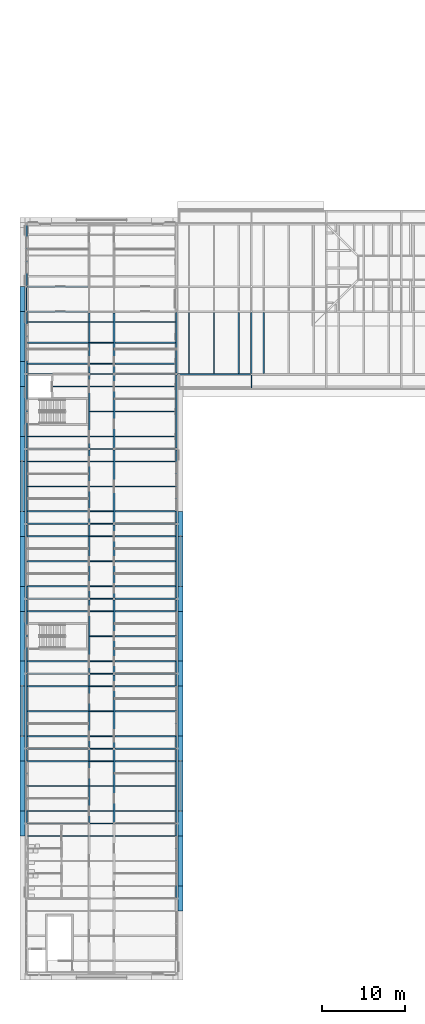
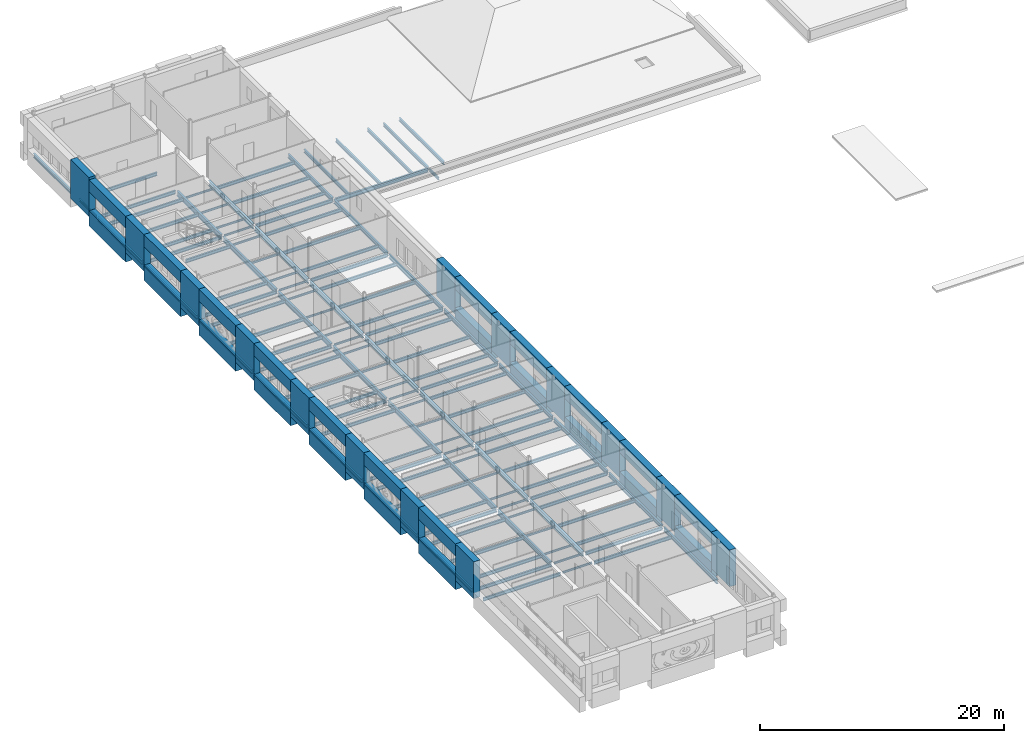
# One storey, part 8 of 42: 149 beams, 14 members.
"""IFC4 building model written with IfcOpenShell, lengths in metres."""

from ifc_helpers import new_model, si_unit, direction, frame, origin, origin_2d, place, context, subcontext, project, spatial, rectangle, i_section, extrude, material, material_profile, profile_set, type_object, element, save


model = new_model("IFC4")

# Units and contexts
model_context = context("Model", 3, precision=1e-05, world=origin(), true_north=direction((0.0, 1.0)))
body_context = subcontext(model_context, "Body", "Model", "MODEL_VIEW")
ifc_project = project(units=[si_unit("LENGTHUNIT", "METRE"), si_unit("AREAUNIT", "SQUARE_METRE"), si_unit("VOLUMEUNIT", "CUBIC_METRE"), si_unit("PLANEANGLEUNIT", "RADIAN"), si_unit("MASSUNIT", "GRAM", prefix="KILO")], contexts=[model_context])

# Site, building, storey
site_placement = place(None, origin())
site = spatial("IfcSite", under=ifc_project, at=site_placement, CompositionType="ELEMENT")
building_placement = place(site_placement, origin())
building = spatial("IfcBuilding", under=site, at=building_placement, Name="Golden Quay Civic Hall", CompositionType="ELEMENT")
storey_placement = place(building_placement, frame((0.0, 0.0, 22.800048828125)))
storey = spatial("IfcBuildingStorey", under=building, at=storey_placement, Name="L05", CompositionType="ELEMENT", Elevation=22.800048828125)

# Beam
ifc_material_1 = material(Name="Steel S355", Category="steel")
ifc_material_profile_1 = material_profile(ifc_material_1, i_section(OverallWidth=0.135009765625, OverallDepth=0.27001953125, WebThickness=0.006591796875, FlangeThickness=0.01025390625, FilletRadius=0.014892578125, at=origin_2d()), Name="IPE 270")
ifc_profile_set_1 = profile_set([ifc_material_profile_1], Name="Steel S355")
beam_type_1 = type_object("IfcBeamType", Name="Eave stub IPE 270", PredefinedType="BEAM", material=ifc_profile_set_1)
beam_1_placement = place(storey_placement, frame((27.0, 62.905029296875, -0.385009765625), z_axis=(0.0, -1.0, 0.0), x_axis=(1.0, 0.0, 0.0)))
element("IfcBeam", 1, at=beam_1_placement, inside=storey, type_object=beam_type_1, Name="Eave stub IPE 270 L05 9", PredefinedType="BEAM", context=body_context, shape_type="SweptSolid", body=[
    extrude(i_section(OverallWidth=0.135009765625, OverallDepth=0.27001953125, WebThickness=0.006591796875, FlangeThickness=0.01025390625, FilletRadius=0.014892578125, at=origin_2d()), origin(), (0.0, 0.0, 1.0), 1.554931640625),
])

# Members
ifc_material_2 = material(Name="Concrete C40/50", Category="concrete")
ifc_material_profile_2 = material_profile(ifc_material_2, rectangle(XDim=3.0, YDim=0.60009765625, at=origin_2d()), Name="RC 3000x600")
ifc_profile_set_2 = profile_set([ifc_material_profile_2], Name="Concrete C40/50")
member_type = type_object("IfcMemberType", Name="Precast concrete facade pier 3000 x 600", PredefinedType="POST", material=ifc_profile_set_2)
for number, where, z_axis, x_axis, name in (
    (2, (-0.5, 9.0, 0.0), (0.0, 0.0, 1.0), (0.0, 1.0, 0.0), "Precast concrete facade pier 3000 x 600 L05 1"),
    (3, (-0.5, 18.0, 0.0), (0.0, 0.0, 1.0), (0.0, 1.0, 0.0), "Precast concrete facade pier 3000 x 600 L05 2"),
    (4, (-0.5, 27.0, 0.0), (0.0, 0.0, 1.0), (0.0, 1.0, 0.0), "Precast concrete facade pier 3000 x 600 L05 3"),
    (5, (-0.5, 36.0, 0.0), (0.0, 0.0, 1.0), (0.0, 1.0, 0.0), "Precast concrete facade pier 3000 x 600 L05 4"),
    (6, (-0.5, 45.0, 0.0), (0.0, 0.0, 1.0), (0.0, 1.0, 0.0), "Precast concrete facade pier 3000 x 600 L05 5"),
    (7, (-0.5, 54.0, 0.0), (0.0, 0.0, 1.0), (0.0, 1.0, 0.0), "Precast concrete facade pier 3000 x 600 L05 6"),
    (8, (-0.5, 63.0, 0.0), (0.0, 0.0, 1.0), (0.0, 1.0, 0.0), "Precast concrete facade pier 3000 x 600 L05 7"),
    (9, (18.5, 0.0, 0.0), (0.0, 0.0, 1.0), (0.0, 1.0, 0.0), "Precast concrete facade pier 3000 x 600 L05 8"),
    (10, (18.5, 9.0, 0.0), (0.0, 0.0, 1.0), (0.0, 1.0, 0.0), "Precast concrete facade pier 3000 x 600 L05 9"),
    (11, (18.5, 18.0, 0.0), (0.0, 0.0, 1.0), (0.0, 1.0, 0.0), "Precast concrete facade pier 3000 x 600 L05 10"),
    (12, (18.5, 27.0, 0.0), (0.0, 0.0, 1.0), (0.0, 1.0, 0.0), "Precast concrete facade pier 3000 x 600 L05 11"),
    (13, (18.5, 36.0, 0.0), (0.0, 0.0, 1.0), (0.0, 1.0, 0.0), "Precast concrete facade pier 3000 x 600 L05 12"),
    (14, (18.5, 45.0, 0.0), (0.0, 0.0, 1.0), (0.0, 1.0, 0.0), "Precast concrete facade pier 3000 x 600 L05 13"),
):
    element("IfcMember", number, at=place(storey_placement, frame(where, z_axis=z_axis, x_axis=x_axis)), inside=storey, type_object=member_type, Name=name, PredefinedType="POST", context=body_context, shape_type="SweptSolid", body=[
        extrude(rectangle(XDim=3.0, YDim=0.60009765625, at=origin_2d()), origin(), (0.0, 0.0, 1.0), 3.679931640625),
    ])
member_placement = place(storey_placement, frame((-0.5, 72.0, 0.0), z_axis=(0.0, 0.0, 1.0), x_axis=(0.0, 1.0, 0.0)))
element("IfcMember", 15, at=member_placement, inside=storey, type_object=member_type, Name="Precast concrete facade pier 3000 x 600 L05 14", PredefinedType="POST", context=body_context, shape_type="SweptSolid", body=[
    extrude(rectangle(XDim=3.0, YDim=0.60009765625, at=origin_2d()), origin(), (0.0, 0.0, 1.0), 3.919921875),
])

# Beams
ifc_material_3 = material(Name="Concrete C40/50", Category="concrete")
ifc_material_profile_3 = material_profile(ifc_material_3, rectangle(XDim=0.60009765625, YDim=1.199951171875, at=origin_2d()), Name="RC 600x1200")
ifc_profile_set_3 = profile_set([ifc_material_profile_3], Name="Concrete C40/50")
beam_type_2 = type_object("IfcBeamType", Name="Precast concrete spandrel beam 600 x 1200", PredefinedType="SPANDREL", material=ifc_profile_set_3)
for number, where, z_axis, x_axis, name in (
    (16, (-0.5, 37.5, 3.079833984375), (0.0, 1.0, 0.0), (-1.0, 0.0, 0.0), "Precast concrete spandrel beam 600 x 1200 L05 1"),
    (17, (-0.5, 64.5, 3.079833984375), (0.0, 1.0, 0.0), (-1.0, 0.0, 0.0), "Precast concrete spandrel beam 600 x 1200 L05 6"),
    (18, (-0.5, 55.5, 3.079833984375), (0.0, 1.0, 0.0), (-1.0, 0.0, 0.0), "Precast concrete spandrel beam 600 x 1200 L05 7"),
    (19, (-0.5, 46.5, 3.079833984375), (0.0, 1.0, 0.0), (-1.0, 0.0, 0.0), "Precast concrete spandrel beam 600 x 1200 L05 8"),
    (20, (-0.5, 28.5, 3.079833984375), (0.0, 1.0, 0.0), (-1.0, 0.0, 0.0), "Precast concrete spandrel beam 600 x 1200 L05 9"),
    (21, (-0.5, 19.5, 3.079833984375), (0.0, 1.0, 0.0), (-1.0, 0.0, 0.0), "Precast concrete spandrel beam 600 x 1200 L05 10"),
    (22, (-0.5, 10.5, 3.079833984375), (0.0, 1.0, 0.0), (-1.0, 0.0, 0.0), "Precast concrete spandrel beam 600 x 1200 L05 11"),
    (23, (18.5, 19.5, 3.079833984375), (0.0, 1.0, 0.0), (-1.0, 0.0, 0.0), "Precast concrete spandrel beam 600 x 1200 L05 15"),
    (24, (18.5, 37.5, 3.079833984375), (0.0, 1.0, 0.0), (-1.0, 0.0, 0.0), "Precast concrete spandrel beam 600 x 1200 L05 16"),
    (25, (18.5, 28.5, 3.079833984375), (0.0, 1.0, 0.0), (-1.0, 0.0, 0.0), "Precast concrete spandrel beam 600 x 1200 L05 17"),
    (26, (18.5, 10.5, 3.079833984375), (0.0, 1.0, 0.0), (-1.0, 0.0, 0.0), "Precast concrete spandrel beam 600 x 1200 L05 18"),
    (27, (18.5, 1.5, 3.079833984375), (0.0, 1.0, 0.0), (-1.0, 0.0, 0.0), "Precast concrete spandrel beam 600 x 1200 L05 19"),
):
    element("IfcBeam", number, at=place(storey_placement, frame(where, z_axis=z_axis, x_axis=x_axis)), inside=storey, type_object=beam_type_2, Name=name, PredefinedType="SPANDREL", context=body_context, shape_type="SweptSolid", body=[
        extrude(rectangle(XDim=0.60009765625, YDim=1.199951171875, at=origin_2d()), origin(), (0.0, 0.0, 1.0), 6.0),
    ])
ifc_material_4 = material(Name="Concrete C40/50", Category="concrete")
ifc_material_profile_4 = material_profile(ifc_material_4, rectangle(XDim=0.60009765625, YDim=1.5, at=origin_2d()), Name="RC 600x1500")
ifc_profile_set_4 = profile_set([ifc_material_profile_4], Name="Concrete C40/50")
beam_type_3 = type_object("IfcBeamType", Name="Precast concrete spandrel beam 600 x 1500", PredefinedType="SPANDREL", material=ifc_profile_set_4)
for number, where, z_axis, x_axis, name in (
    (28, (-0.5, 37.5, -0.150146484375), (0.0, 1.0, 0.0), (-1.0, 0.0, 0.0), "Precast concrete spandrel beam 600 x 1500 L05 1"),
    (29, (-0.5, 64.5, -0.150146484375), (0.0, 1.0, 0.0), (-1.0, 0.0, 0.0), "Precast concrete spandrel beam 600 x 1500 L05 6"),
    (30, (-0.5, 55.5, -0.150146484375), (0.0, 1.0, 0.0), (-1.0, 0.0, 0.0), "Precast concrete spandrel beam 600 x 1500 L05 7"),
    (31, (-0.5, 46.5, -0.150146484375), (0.0, 1.0, 0.0), (-1.0, 0.0, 0.0), "Precast concrete spandrel beam 600 x 1500 L05 8"),
    (32, (-0.5, 28.5, -0.150146484375), (0.0, 1.0, 0.0), (-1.0, 0.0, 0.0), "Precast concrete spandrel beam 600 x 1500 L05 9"),
    (33, (-0.5, 19.5, -0.150146484375), (0.0, 1.0, 0.0), (-1.0, 0.0, 0.0), "Precast concrete spandrel beam 600 x 1500 L05 10"),
    (34, (-0.5, 10.5, -0.150146484375), (0.0, 1.0, 0.0), (-1.0, 0.0, 0.0), "Precast concrete spandrel beam 600 x 1500 L05 11"),
    (35, (18.5, 19.5, -0.150146484375), (0.0, 1.0, 0.0), (-1.0, 0.0, 0.0), "Precast concrete spandrel beam 600 x 1500 L05 15"),
    (36, (18.5, 37.5, -0.150146484375), (0.0, 1.0, 0.0), (-1.0, 0.0, 0.0), "Precast concrete spandrel beam 600 x 1500 L05 16"),
    (37, (18.5, 28.5, -0.150146484375), (0.0, 1.0, 0.0), (-1.0, 0.0, 0.0), "Precast concrete spandrel beam 600 x 1500 L05 17"),
    (38, (18.5, 10.5, -0.150146484375), (0.0, 1.0, 0.0), (-1.0, 0.0, 0.0), "Precast concrete spandrel beam 600 x 1500 L05 18"),
    (39, (18.5, 1.5, -0.150146484375), (0.0, 1.0, 0.0), (-1.0, 0.0, 0.0), "Precast concrete spandrel beam 600 x 1500 L05 19"),
):
    element("IfcBeam", number, at=place(storey_placement, frame(where, z_axis=z_axis, x_axis=x_axis)), inside=storey, type_object=beam_type_3, Name=name, PredefinedType="SPANDREL", context=body_context, shape_type="SweptSolid", body=[
        extrude(rectangle(XDim=0.60009765625, YDim=1.5, at=origin_2d()), origin(), (0.0, 0.0, 1.0), 6.0),
    ])
ifc_material_5 = material(Name="Steel S355", Category="steel")
ifc_material_profile_5 = material_profile(ifc_material_5, i_section(OverallWidth=0.10009765625, OverallDepth=0.199951171875, WebThickness=0.005615234375, FlangeThickness=0.008544921875, FilletRadius=0.011962890625, at=origin_2d()), Name="IPE 200")
ifc_profile_set_5 = profile_set([ifc_material_profile_5], Name="Steel S355")
beam_type_4 = type_object("IfcBeamType", Name="Steel beam IPE 200", PredefinedType="BEAM", material=ifc_profile_set_5)
for number, where, z_axis, x_axis, name in (
    (40, (7.639892578125, 9.0, -0.300048828125), (1.0, 0.0, 0.0), (0.0, 1.0, 0.0), "Beam S9-7.5"),
    (41, (7.639892578125, 18.0, -0.300048828125), (1.0, 0.0, 0.0), (0.0, 1.0, 0.0), "Beam S18-7.5"),
    (42, (7.639892578125, 27.0, -0.300048828125), (1.0, 0.0, 0.0), (0.0, 1.0, 0.0), "Beam S27-7.5"),
    (43, (7.639892578125, 36.0, -0.300048828125), (1.0, 0.0, 0.0), (0.0, 1.0, 0.0), "Beam S36-7.5"),
    (44, (7.639892578125, 45.0, -0.300048828125), (1.0, 0.0, 0.0), (0.0, 1.0, 0.0), "Beam S45-7.5"),
    (45, (7.639892578125, 54.0, -0.300048828125), (1.0, 0.0, 0.0), (0.0, 1.0, 0.0), "Beam S54-7.5"),
    (46, (7.639892578125, 63.0, -0.300048828125), (1.0, 0.0, 0.0), (0.0, 1.0, 0.0), "Beam S63-7.5"),
):
    element("IfcBeam", number, at=place(storey_placement, frame(where, z_axis=z_axis, x_axis=x_axis)), inside=storey, type_object=beam_type_4, Name=name, PredefinedType="BEAM", context=body_context, shape_type="SweptSolid", body=[
        extrude(i_section(OverallWidth=0.10009765625, OverallDepth=0.199951171875, WebThickness=0.005615234375, FlangeThickness=0.008544921875, FilletRadius=0.011962890625, at=origin_2d()), origin(), (0.0, 0.0, 1.0), 2.72021484375),
    ])
ifc_material_6 = material(Name="Steel S355", Category="steel")
ifc_material_profile_6 = material_profile(ifc_material_6, i_section(OverallWidth=0.135009765625, OverallDepth=0.27001953125, WebThickness=0.006591796875, FlangeThickness=0.01025390625, FilletRadius=0.014892578125, at=origin_2d()), Name="IPE 270")
ifc_profile_set_6 = profile_set([ifc_material_profile_6], Name="Steel S355")
beam_type_5 = type_object("IfcBeamType", Name="Steel beam IPE 270", PredefinedType="BEAM", material=ifc_profile_set_6)
beam_2_placement = place(storey_placement, frame((0.0, 70.614990234375, -0.3349609375), z_axis=(0.0, 1.0, 0.0), x_axis=(-1.0, 0.0, 0.0)))
element("IfcBeam", 47, at=beam_2_placement, inside=storey, type_object=beam_type_5, Name="Beam L0-70.5", PredefinedType="BEAM", context=body_context, shape_type="SweptSolid", body=[
    extrude(i_section(OverallWidth=0.135009765625, OverallDepth=0.27001953125, WebThickness=0.006591796875, FlangeThickness=0.01025390625, FilletRadius=0.014892578125, at=origin_2d()), origin(), (0.0, 0.0, 1.0), 2.77001953125),
])
ifc_material_7 = material(Name="Steel S355", Category="steel")
ifc_material_profile_7 = material_profile(ifc_material_7, i_section(OverallWidth=0.159912109375, OverallDepth=0.330078125, WebThickness=0.007568359375, FlangeThickness=0.011474609375, FilletRadius=0.01806640625, at=origin_2d()), Name="IPE 330")
ifc_profile_set_7 = profile_set([ifc_material_profile_7], Name="Steel S355")
beam_type_6 = type_object("IfcBeamType", Name="Steel beam IPE 330", PredefinedType="BEAM", material=ifc_profile_set_7)
for number, where, z_axis, x_axis, name in (
    (48, (0.1201171875, 9.0, -0.364990234375), (1.0, 0.0, 0.0), (0.0, 1.0, 0.0), "Beam S9-0"),
    (49, (10.639892578125, 9.0, -0.364990234375), (1.0, 0.0, 0.0), (0.0, 1.0, 0.0), "Beam S9-10.5"),
    (50, (0.1201171875, 18.0, -0.364990234375), (1.0, 0.0, 0.0), (0.0, 1.0, 0.0), "Beam S18-0"),
    (51, (10.639892578125, 18.0, -0.364990234375), (1.0, 0.0, 0.0), (0.0, 1.0, 0.0), "Beam S18-10.5"),
    (52, (0.1201171875, 27.0, -0.364990234375), (1.0, 0.0, 0.0), (0.0, 1.0, 0.0), "Beam S27-0"),
    (53, (10.639892578125, 27.0, -0.364990234375), (1.0, 0.0, 0.0), (0.0, 1.0, 0.0), "Beam S27-10.5"),
    (54, (0.1201171875, 36.0, -0.364990234375), (1.0, 0.0, 0.0), (0.0, 1.0, 0.0), "Beam S36-0"),
    (55, (10.639892578125, 36.0, -0.364990234375), (1.0, 0.0, 0.0), (0.0, 1.0, 0.0), "Beam S36-10.5"),
    (56, (0.1201171875, 45.0, -0.364990234375), (1.0, 0.0, 0.0), (0.0, 1.0, 0.0), "Beam S45-0"),
    (57, (10.639892578125, 45.0, -0.364990234375), (1.0, 0.0, 0.0), (0.0, 1.0, 0.0), "Beam S45-10.5"),
    (58, (0.1201171875, 54.0, -0.364990234375), (1.0, 0.0, 0.0), (0.0, 1.0, 0.0), "Beam S54-0"),
    (59, (10.639892578125, 54.0, -0.364990234375), (1.0, 0.0, 0.0), (0.0, 1.0, 0.0), "Beam S54-10.5"),
    (60, (0.1201171875, 63.0, -0.364990234375), (1.0, 0.0, 0.0), (0.0, 1.0, 0.0), "Beam S63-0"),
    (61, (10.639892578125, 63.0, -0.364990234375), (1.0, 0.0, 0.0), (0.0, 1.0, 0.0), "Beam S63-10.5"),
    (62, (0.1201171875, 70.5, -0.364990234375), (1.0, 0.0, 0.0), (0.0, 1.0, 0.0), "Beam S70.5-0"),
    (63, (0.1201171875, 73.5, -0.364990234375), (1.0, 0.0, 0.0), (0.0, 1.0, 0.0), "Beam S73.5-0"),
):
    element("IfcBeam", number, at=place(storey_placement, frame(where, z_axis=z_axis, x_axis=x_axis)), inside=storey, type_object=beam_type_6, Name=name, PredefinedType="BEAM", context=body_context, shape_type="SweptSolid", body=[
        extrude(i_section(OverallWidth=0.159912109375, OverallDepth=0.330078125, WebThickness=0.007568359375, FlangeThickness=0.011474609375, FilletRadius=0.01806640625, at=origin_2d()), origin(), (0.0, 0.0, 1.0), 7.239990234375),
    ])
beam_3_placement = place(storey_placement, frame((27.0, 63.094970703125, -0.4150390625), z_axis=(0.0, 1.0, 0.0), x_axis=(-1.0, 0.0, 0.0)))
element("IfcBeam", 64, at=beam_3_placement, inside=storey, type_object=beam_type_6, Name="Beam S27-63", PredefinedType="BEAM", context=body_context, shape_type="SweptSolid", body=[
    extrude(i_section(OverallWidth=0.159912109375, OverallDepth=0.330078125, WebThickness=0.007568359375, FlangeThickness=0.011474609375, FilletRadius=0.01806640625, at=origin_2d()), origin(), (0.0, 0.0, 1.0), 7.2900390625),
])
ifc_material_8 = material(Name="Steel S355", Category="steel")
ifc_material_profile_8 = material_profile(ifc_material_8, i_section(OverallWidth=0.179931640625, OverallDepth=0.39990234375, WebThickness=0.008544921875, FlangeThickness=0.013427734375, FilletRadius=0.02099609375, at=origin_2d()), Name="IPE 400")
ifc_profile_set_8 = profile_set([ifc_material_profile_8], Name="Steel S355")
beam_type_7 = type_object("IfcBeamType", Name="Steel beam IPE 400", PredefinedType="BEAM", material=ifc_profile_set_8)
for number, where, z_axis, x_axis, name in (
    (65, (0.0, 9.114990234375, -0.400146484375), (0.0, 1.0, 0.0), (-1.0, 0.0, 0.0), "Beam L0-9"),
    (66, (0.0, 18.114990234375, -0.400146484375), (0.0, 1.0, 0.0), (-1.0, 0.0, 0.0), "Beam L0-18"),
    (67, (0.0, 27.114990234375, -0.400146484375), (0.0, 1.0, 0.0), (-1.0, 0.0, 0.0), "Beam L0-27"),
    (68, (0.0, 36.114990234375, -0.400146484375), (0.0, 1.0, 0.0), (-1.0, 0.0, 0.0), "Beam L0-36"),
    (69, (0.0, 45.114990234375, -0.400146484375), (0.0, 1.0, 0.0), (-1.0, 0.0, 0.0), "Beam L0-45"),
    (70, (0.0, 54.114990234375, -0.400146484375), (0.0, 1.0, 0.0), (-1.0, 0.0, 0.0), "Beam L0-54"),
):
    element("IfcBeam", number, at=place(storey_placement, frame(where, z_axis=z_axis, x_axis=x_axis)), inside=storey, type_object=beam_type_7, Name=name, PredefinedType="BEAM", context=body_context, shape_type="SweptSolid", body=[
        extrude(i_section(OverallWidth=0.179931640625, OverallDepth=0.39990234375, WebThickness=0.008544921875, FlangeThickness=0.013427734375, FilletRadius=0.02099609375, at=origin_2d()), origin(), (0.0, 0.0, 1.0), 8.77001953125),
    ])
for number, where, z_axis, x_axis, name in (
    (71, (0.0, 63.114990234375, -0.400146484375), (0.0, 1.0, 0.0), (-1.0, 0.0, 0.0), "Beam L0-63"),
    (72, (0.0, 73.614990234375, -0.400146484375), (0.0, 1.0, 0.0), (-1.0, 0.0, 0.0), "Beam L0-73.5"),
):
    element("IfcBeam", number, at=place(storey_placement, frame(where, z_axis=z_axis, x_axis=x_axis)), inside=storey, type_object=beam_type_7, Name=name, PredefinedType="BEAM", context=body_context, shape_type="SweptSolid", body=[
        extrude(i_section(OverallWidth=0.179931640625, OverallDepth=0.39990234375, WebThickness=0.008544921875, FlangeThickness=0.013427734375, FilletRadius=0.02099609375, at=origin_2d()), origin(), (0.0, 0.0, 1.0), 7.27001953125),
    ])
for number, where, z_axis, x_axis, name in (
    (73, (18.0, 0.114990234375, -0.400146484375), (0.0, 1.0, 0.0), (-1.0, 0.0, 0.0), "Beam L18-0"),
    (74, (18.0, 9.114990234375, -0.400146484375), (0.0, 1.0, 0.0), (-1.0, 0.0, 0.0), "Beam L18-9"),
    (75, (18.0, 18.114990234375, -0.400146484375), (0.0, 1.0, 0.0), (-1.0, 0.0, 0.0), "Beam L18-18"),
    (76, (18.0, 27.114990234375, -0.400146484375), (0.0, 1.0, 0.0), (-1.0, 0.0, 0.0), "Beam L18-27"),
    (77, (18.0, 36.114990234375, -0.400146484375), (0.0, 1.0, 0.0), (-1.0, 0.0, 0.0), "Beam L18-36"),
    (78, (18.0, 45.114990234375, -0.400146484375), (0.0, 1.0, 0.0), (-1.0, 0.0, 0.0), "Beam L18-45"),
    (79, (18.0, 54.114990234375, -0.400146484375), (0.0, 1.0, 0.0), (-1.0, 0.0, 0.0), "Beam L18-54"),
):
    element("IfcBeam", number, at=place(storey_placement, frame(where, z_axis=z_axis, x_axis=x_axis)), inside=storey, type_object=beam_type_7, Name=name, PredefinedType="BEAM", context=body_context, shape_type="SweptSolid", body=[
        extrude(i_section(OverallWidth=0.179931640625, OverallDepth=0.39990234375, WebThickness=0.008544921875, FlangeThickness=0.013427734375, FilletRadius=0.02099609375, at=origin_2d()), origin(), (0.0, 0.0, 1.0), 8.77001953125),
    ])
beam_4_placement = place(storey_placement, frame((18.0, 63.114990234375, -0.400146484375), z_axis=(0.0, 1.0, 0.0), x_axis=(-1.0, 0.0, 0.0)))
element("IfcBeam", 80, at=beam_4_placement, inside=storey, type_object=beam_type_7, Name="Beam L18-63", PredefinedType="BEAM", context=body_context, shape_type="SweptSolid", body=[
    extrude(i_section(OverallWidth=0.179931640625, OverallDepth=0.39990234375, WebThickness=0.008544921875, FlangeThickness=0.013427734375, FilletRadius=0.02099609375, at=origin_2d()), origin(), (0.0, 0.0, 1.0), 7.27001953125),
])
beam_5_placement = place(storey_placement, frame((18.1201171875, 63.0, -0.449951171875), z_axis=(1.0, 0.0, 0.0), x_axis=(0.0, 1.0, 0.0)))
element("IfcBeam", 81, at=beam_5_placement, inside=storey, type_object=beam_type_7, Name="Beam L63-18", PredefinedType="BEAM", context=body_context, shape_type="SweptSolid", body=[
    extrude(i_section(OverallWidth=0.179931640625, OverallDepth=0.39990234375, WebThickness=0.008544921875, FlangeThickness=0.013427734375, FilletRadius=0.02099609375, at=origin_2d()), origin(), (0.0, 0.0, 1.0), 8.77978515625),
])
ifc_material_9 = material(Name="Steel S355", Category="steel")
ifc_material_profile_9 = material_profile(ifc_material_9, i_section(OverallWidth=0.199951171875, OverallDepth=0.5, WebThickness=0.01025390625, FlangeThickness=0.01611328125, FilletRadius=0.02099609375, at=origin_2d()), Name="IPE 500")
ifc_profile_set_9 = profile_set([ifc_material_profile_9], Name="Steel S355")
beam_type_8 = type_object("IfcBeamType", Name="Steel beam IPE 500", PredefinedType="BEAM", material=ifc_profile_set_9)
for number, where, z_axis, x_axis, name in (
    (82, (7.5, 9.135009765625, -0.449951171875), (0.0, 1.0, 0.0), (-1.0, 0.0, 0.0), "Beam L7.5-9"),
    (83, (7.5, 18.135009765625, -0.449951171875), (0.0, 1.0, 0.0), (-1.0, 0.0, 0.0), "Beam L7.5-18"),
    (84, (7.5, 27.135009765625, -0.449951171875), (0.0, 1.0, 0.0), (-1.0, 0.0, 0.0), "Beam L7.5-27"),
    (85, (7.5, 36.135009765625, -0.449951171875), (0.0, 1.0, 0.0), (-1.0, 0.0, 0.0), "Beam L7.5-36"),
    (86, (7.5, 45.135009765625, -0.449951171875), (0.0, 1.0, 0.0), (-1.0, 0.0, 0.0), "Beam L7.5-45"),
    (87, (7.5, 54.135009765625, -0.449951171875), (0.0, 1.0, 0.0), (-1.0, 0.0, 0.0), "Beam L7.5-54"),
):
    element("IfcBeam", number, at=place(storey_placement, frame(where, z_axis=z_axis, x_axis=x_axis)), inside=storey, type_object=beam_type_8, Name=name, PredefinedType="BEAM", context=body_context, shape_type="SweptSolid", body=[
        extrude(i_section(OverallWidth=0.199951171875, OverallDepth=0.5, WebThickness=0.01025390625, FlangeThickness=0.01611328125, FilletRadius=0.02099609375, at=origin_2d()), origin(), (0.0, 0.0, 1.0), 8.72998046875),
    ])
beam_6_placement = place(storey_placement, frame((7.5, 63.135009765625, -0.449951171875), z_axis=(0.0, 1.0, 0.0), x_axis=(-1.0, 0.0, 0.0)))
element("IfcBeam", 88, at=beam_6_placement, inside=storey, type_object=beam_type_8, Name="Beam L7.5-63", PredefinedType="BEAM", context=body_context, shape_type="SweptSolid", body=[
    extrude(i_section(OverallWidth=0.199951171875, OverallDepth=0.5, WebThickness=0.01025390625, FlangeThickness=0.01611328125, FilletRadius=0.02099609375, at=origin_2d()), origin(), (0.0, 0.0, 1.0), 7.22998046875),
])
for number, where, z_axis, x_axis, name in (
    (89, (10.5, 9.135009765625, -0.449951171875), (0.0, 1.0, 0.0), (-1.0, 0.0, 0.0), "Beam L10.5-9"),
    (90, (10.5, 18.135009765625, -0.449951171875), (0.0, 1.0, 0.0), (-1.0, 0.0, 0.0), "Beam L10.5-18"),
    (91, (10.5, 27.135009765625, -0.449951171875), (0.0, 1.0, 0.0), (-1.0, 0.0, 0.0), "Beam L10.5-27"),
    (92, (10.5, 36.135009765625, -0.449951171875), (0.0, 1.0, 0.0), (-1.0, 0.0, 0.0), "Beam L10.5-36"),
    (93, (10.5, 45.135009765625, -0.449951171875), (0.0, 1.0, 0.0), (-1.0, 0.0, 0.0), "Beam L10.5-45"),
    (94, (10.5, 54.135009765625, -0.449951171875), (0.0, 1.0, 0.0), (-1.0, 0.0, 0.0), "Beam L10.5-54"),
):
    element("IfcBeam", number, at=place(storey_placement, frame(where, z_axis=z_axis, x_axis=x_axis)), inside=storey, type_object=beam_type_8, Name=name, PredefinedType="BEAM", context=body_context, shape_type="SweptSolid", body=[
        extrude(i_section(OverallWidth=0.199951171875, OverallDepth=0.5, WebThickness=0.01025390625, FlangeThickness=0.01611328125, FilletRadius=0.02099609375, at=origin_2d()), origin(), (0.0, 0.0, 1.0), 8.72998046875),
    ])
beam_7_placement = place(storey_placement, frame((10.5, 63.135009765625, -0.449951171875), z_axis=(0.0, 1.0, 0.0), x_axis=(-1.0, 0.0, 0.0)))
element("IfcBeam", 95, at=beam_7_placement, inside=storey, type_object=beam_type_8, Name="Beam L10.5-63", PredefinedType="BEAM", context=body_context, shape_type="SweptSolid", body=[
    extrude(i_section(OverallWidth=0.199951171875, OverallDepth=0.5, WebThickness=0.01025390625, FlangeThickness=0.01611328125, FilletRadius=0.02099609375, at=origin_2d()), origin(), (0.0, 0.0, 1.0), 7.22998046875),
])
ifc_material_10 = material(Name="Steel S355", Category="steel")
ifc_material_profile_10 = material_profile(ifc_material_10, i_section(OverallWidth=0.10009765625, OverallDepth=0.199951171875, WebThickness=0.005615234375, FlangeThickness=0.008544921875, FilletRadius=0.011962890625, at=origin_2d()), Name="IPE 200")
ifc_profile_set_10 = profile_set([ifc_material_profile_10], Name="Steel S355")
beam_type_9 = type_object("IfcBeamType", Name="Steel joist IPE 200", PredefinedType="JOIST", material=ifc_profile_set_10)
for number, where, z_axis, x_axis, name in (
    (96, (7.60009765625, 7.5, -0.300048828125), (1.0, 0.0, 0.0), (0.0, 1.0, 0.0), "Joist J7.5-7.5"),
    (97, (7.60009765625, 10.5, -0.300048828125), (1.0, 0.0, 0.0), (0.0, 1.0, 0.0), "Joist J10.5-7.5"),
    (98, (7.60009765625, 13.5, -0.300048828125), (1.0, 0.0, 0.0), (0.0, 1.0, 0.0), "Joist J13.5-7.5"),
    (99, (7.60009765625, 16.5, -0.300048828125), (1.0, 0.0, 0.0), (0.0, 1.0, 0.0), "Joist J16.5-7.5"),
    (100, (7.60009765625, 19.5, -0.300048828125), (1.0, 0.0, 0.0), (0.0, 1.0, 0.0), "Joist J19.5-7.5"),
    (101, (7.60009765625, 22.5, -0.300048828125), (1.0, 0.0, 0.0), (0.0, 1.0, 0.0), "Joist J22.5-7.5"),
    (102, (7.60009765625, 25.5, -0.300048828125), (1.0, 0.0, 0.0), (0.0, 1.0, 0.0), "Joist J25.5-7.5"),
    (103, (7.60009765625, 28.5, -0.300048828125), (1.0, 0.0, 0.0), (0.0, 1.0, 0.0), "Joist J28.5-7.5"),
    (104, (7.60009765625, 31.5, -0.300048828125), (1.0, 0.0, 0.0), (0.0, 1.0, 0.0), "Joist J31.5-7.5"),
    (105, (7.60009765625, 34.5, -0.300048828125), (1.0, 0.0, 0.0), (0.0, 1.0, 0.0), "Joist J34.5-7.5"),
    (106, (7.60009765625, 37.5, -0.300048828125), (1.0, 0.0, 0.0), (0.0, 1.0, 0.0), "Joist J37.5-7.5"),
    (107, (7.60009765625, 40.5, -0.300048828125), (1.0, 0.0, 0.0), (0.0, 1.0, 0.0), "Joist J40.5-7.5"),
    (108, (7.60009765625, 43.5, -0.300048828125), (1.0, 0.0, 0.0), (0.0, 1.0, 0.0), "Joist J43.5-7.5"),
    (109, (7.60009765625, 46.5, -0.300048828125), (1.0, 0.0, 0.0), (0.0, 1.0, 0.0), "Joist J46.5-7.5"),
    (110, (7.60009765625, 49.5, -0.300048828125), (1.0, 0.0, 0.0), (0.0, 1.0, 0.0), "Joist J49.5-7.5"),
    (111, (7.60009765625, 52.5, -0.300048828125), (1.0, 0.0, 0.0), (0.0, 1.0, 0.0), "Joist J52.5-7.5"),
    (112, (7.60009765625, 55.5, -0.300048828125), (1.0, 0.0, 0.0), (0.0, 1.0, 0.0), "Joist J55.5-7.5"),
    (113, (7.60009765625, 58.5, -0.300048828125), (1.0, 0.0, 0.0), (0.0, 1.0, 0.0), "Joist J58.5-7.5"),
    (114, (7.60009765625, 61.5, -0.300048828125), (1.0, 0.0, 0.0), (0.0, 1.0, 0.0), "Joist J61.5-7.5"),
    (115, (7.60009765625, 64.25, -0.300048828125), (1.0, 0.0, 0.0), (0.0, 1.0, 0.0), "Joist J64.25-7.5"),
    (116, (7.60009765625, 66.75, -0.300048828125), (1.0, 0.0, 0.0), (0.0, 1.0, 0.0), "Joist J66.75-7.5"),
    (117, (7.60009765625, 69.25, -0.300048828125), (1.0, 0.0, 0.0), (0.0, 1.0, 0.0), "Joist J69.25-7.5"),
):
    element("IfcBeam", number, at=place(storey_placement, frame(where, z_axis=z_axis, x_axis=x_axis)), inside=storey, type_object=beam_type_9, Name=name, PredefinedType="JOIST", context=body_context, shape_type="SweptSolid", body=[
        extrude(i_section(OverallWidth=0.10009765625, OverallDepth=0.199951171875, WebThickness=0.005615234375, FlangeThickness=0.008544921875, FilletRadius=0.011962890625, at=origin_2d()), origin(), (0.0, 0.0, 1.0), 2.7998046875),
    ])
ifc_material_11 = material(Name="Steel S355", Category="steel")
ifc_material_profile_11 = material_profile(ifc_material_11, i_section(OverallWidth=0.159912109375, OverallDepth=0.330078125, WebThickness=0.007568359375, FlangeThickness=0.011474609375, FilletRadius=0.01806640625, at=origin_2d()), Name="IPE 330")
ifc_profile_set_11 = profile_set([ifc_material_profile_11], Name="Steel S355")
beam_type_10 = type_object("IfcBeamType", Name="Steel joist IPE 330", PredefinedType="JOIST", material=ifc_profile_set_11)
for number, where, z_axis, x_axis, name in (
    (118, (0.090087890625, 7.5, -0.364990234375), (1.0, 0.0, 0.0), (0.0, 1.0, 0.0), "Joist J7.5-0"),
    (119, (10.60009765625, 7.5, -0.364990234375), (1.0, 0.0, 0.0), (0.0, 1.0, 0.0), "Joist J7.5-10.5"),
    (120, (0.090087890625, 10.5, -0.364990234375), (1.0, 0.0, 0.0), (0.0, 1.0, 0.0), "Joist J10.5-0"),
    (121, (10.60009765625, 10.5, -0.364990234375), (1.0, 0.0, 0.0), (0.0, 1.0, 0.0), "Joist J10.5-10.5"),
    (122, (0.090087890625, 13.5, -0.364990234375), (1.0, 0.0, 0.0), (0.0, 1.0, 0.0), "Joist J13.5-0"),
    (123, (10.60009765625, 13.5, -0.364990234375), (1.0, 0.0, 0.0), (0.0, 1.0, 0.0), "Joist J13.5-10.5"),
    (124, (0.090087890625, 16.5, -0.364990234375), (1.0, 0.0, 0.0), (0.0, 1.0, 0.0), "Joist J16.5-0"),
    (125, (10.60009765625, 16.5, -0.364990234375), (1.0, 0.0, 0.0), (0.0, 1.0, 0.0), "Joist J16.5-10.5"),
    (126, (0.090087890625, 19.5, -0.364990234375), (1.0, 0.0, 0.0), (0.0, 1.0, 0.0), "Joist J19.5-0"),
    (127, (10.60009765625, 19.5, -0.364990234375), (1.0, 0.0, 0.0), (0.0, 1.0, 0.0), "Joist J19.5-10.5"),
    (128, (0.090087890625, 22.5, -0.364990234375), (1.0, 0.0, 0.0), (0.0, 1.0, 0.0), "Joist J22.5-0"),
    (129, (10.60009765625, 22.5, -0.364990234375), (1.0, 0.0, 0.0), (0.0, 1.0, 0.0), "Joist J22.5-10.5"),
    (130, (0.090087890625, 25.5, -0.364990234375), (1.0, 0.0, 0.0), (0.0, 1.0, 0.0), "Joist J25.5-0"),
    (131, (10.60009765625, 25.5, -0.364990234375), (1.0, 0.0, 0.0), (0.0, 1.0, 0.0), "Joist J25.5-10.5"),
    (132, (0.090087890625, 28.5, -0.364990234375), (1.0, 0.0, 0.0), (0.0, 1.0, 0.0), "Joist J28.5-0"),
    (133, (10.60009765625, 28.5, -0.364990234375), (1.0, 0.0, 0.0), (0.0, 1.0, 0.0), "Joist J28.5-10.5"),
    (134, (10.60009765625, 31.5, -0.364990234375), (1.0, 0.0, 0.0), (0.0, 1.0, 0.0), "Joist J31.5-10.5"),
    (135, (0.090087890625, 34.5, -0.364990234375), (1.0, 0.0, 0.0), (0.0, 1.0, 0.0), "Joist J34.5-0"),
    (136, (10.60009765625, 34.5, -0.364990234375), (1.0, 0.0, 0.0), (0.0, 1.0, 0.0), "Joist J34.5-10.5"),
    (137, (0.090087890625, 37.5, -0.364990234375), (1.0, 0.0, 0.0), (0.0, 1.0, 0.0), "Joist J37.5-0"),
    (138, (10.60009765625, 37.5, -0.364990234375), (1.0, 0.0, 0.0), (0.0, 1.0, 0.0), "Joist J37.5-10.5"),
    (139, (0.090087890625, 40.5, -0.364990234375), (1.0, 0.0, 0.0), (0.0, 1.0, 0.0), "Joist J40.5-0"),
    (140, (10.60009765625, 40.5, -0.364990234375), (1.0, 0.0, 0.0), (0.0, 1.0, 0.0), "Joist J40.5-10.5"),
    (141, (0.090087890625, 43.5, -0.364990234375), (1.0, 0.0, 0.0), (0.0, 1.0, 0.0), "Joist J43.5-0"),
    (142, (10.60009765625, 43.5, -0.364990234375), (1.0, 0.0, 0.0), (0.0, 1.0, 0.0), "Joist J43.5-10.5"),
    (143, (0.090087890625, 46.5, -0.364990234375), (1.0, 0.0, 0.0), (0.0, 1.0, 0.0), "Joist J46.5-0"),
    (144, (10.60009765625, 46.5, -0.364990234375), (1.0, 0.0, 0.0), (0.0, 1.0, 0.0), "Joist J46.5-10.5"),
    (145, (0.090087890625, 49.5, -0.364990234375), (1.0, 0.0, 0.0), (0.0, 1.0, 0.0), "Joist J49.5-0"),
    (146, (10.60009765625, 49.5, -0.364990234375), (1.0, 0.0, 0.0), (0.0, 1.0, 0.0), "Joist J49.5-10.5"),
    (147, (0.090087890625, 52.5, -0.364990234375), (1.0, 0.0, 0.0), (0.0, 1.0, 0.0), "Joist J52.5-0"),
    (148, (10.60009765625, 52.5, -0.364990234375), (1.0, 0.0, 0.0), (0.0, 1.0, 0.0), "Joist J52.5-10.5"),
    (149, (0.090087890625, 55.5, -0.364990234375), (1.0, 0.0, 0.0), (0.0, 1.0, 0.0), "Joist J55.5-0"),
    (150, (10.60009765625, 55.5, -0.364990234375), (1.0, 0.0, 0.0), (0.0, 1.0, 0.0), "Joist J55.5-10.5"),
    (151, (10.60009765625, 58.5, -0.364990234375), (1.0, 0.0, 0.0), (0.0, 1.0, 0.0), "Joist J58.5-10.5"),
):
    element("IfcBeam", number, at=place(storey_placement, frame(where, z_axis=z_axis, x_axis=x_axis)), inside=storey, type_object=beam_type_10, Name=name, PredefinedType="JOIST", context=body_context, shape_type="SweptSolid", body=[
        extrude(i_section(OverallWidth=0.159912109375, OverallDepth=0.330078125, WebThickness=0.007568359375, FlangeThickness=0.011474609375, FilletRadius=0.01806640625, at=origin_2d()), origin(), (0.0, 0.0, 1.0), 7.309814453125),
    ])
beam_8_placement = place(storey_placement, frame((3.14990234375, 61.5, -0.364990234375), z_axis=(1.0, 0.0, 0.0), x_axis=(0.0, 1.0, 0.0)))
element("IfcBeam", 152, at=beam_8_placement, inside=storey, type_object=beam_type_10, Name="Joist J61.5-0-1", PredefinedType="JOIST", context=body_context, shape_type="SweptSolid", body=[
    extrude(i_section(OverallWidth=0.159912109375, OverallDepth=0.330078125, WebThickness=0.007568359375, FlangeThickness=0.011474609375, FilletRadius=0.01806640625, at=origin_2d()), origin(), (0.0, 0.0, 1.0), 4.25),
])
for number, where, z_axis, x_axis, name in (
    (153, (10.60009765625, 61.5, -0.364990234375), (1.0, 0.0, 0.0), (0.0, 1.0, 0.0), "Joist J61.5-10.5"),
    (154, (0.090087890625, 64.25, -0.364990234375), (1.0, 0.0, 0.0), (0.0, 1.0, 0.0), "Joist J64.25-0"),
    (155, (10.60009765625, 64.25, -0.364990234375), (1.0, 0.0, 0.0), (0.0, 1.0, 0.0), "Joist J64.25-10.5"),
    (156, (0.090087890625, 66.75, -0.364990234375), (1.0, 0.0, 0.0), (0.0, 1.0, 0.0), "Joist J66.75-0"),
    (157, (10.60009765625, 66.75, -0.364990234375), (1.0, 0.0, 0.0), (0.0, 1.0, 0.0), "Joist J66.75-10.5"),
    (158, (0.090087890625, 69.25, -0.364990234375), (1.0, 0.0, 0.0), (0.0, 1.0, 0.0), "Joist J69.25-0"),
    (159, (10.60009765625, 69.25, -0.364990234375), (1.0, 0.0, 0.0), (0.0, 1.0, 0.0), "Joist J69.25-10.5"),
    (160, (19.5, 63.090087890625, -0.4150390625), (0.0, 1.0, 0.0), (-1.0, 0.0, 0.0), "Joist J19.5-63"),
    (161, (22.5, 63.090087890625, -0.4150390625), (0.0, 1.0, 0.0), (-1.0, 0.0, 0.0), "Joist J22.5-63"),
    (162, (25.5, 63.090087890625, -0.4150390625), (0.0, 1.0, 0.0), (-1.0, 0.0, 0.0), "Joist J25.5-63"),
    (163, (28.5, 63.090087890625, -0.4150390625), (0.0, 1.0, 0.0), (-1.0, 0.0, 0.0), "Joist J28.5-63"),
):
    element("IfcBeam", number, at=place(storey_placement, frame(where, z_axis=z_axis, x_axis=x_axis)), inside=storey, type_object=beam_type_10, Name=name, PredefinedType="JOIST", context=body_context, shape_type="SweptSolid", body=[
        extrude(i_section(OverallWidth=0.159912109375, OverallDepth=0.330078125, WebThickness=0.007568359375, FlangeThickness=0.011474609375, FilletRadius=0.01806640625, at=origin_2d()), origin(), (0.0, 0.0, 1.0), 7.309814453125),
    ])

save(model, "model.ifc")
